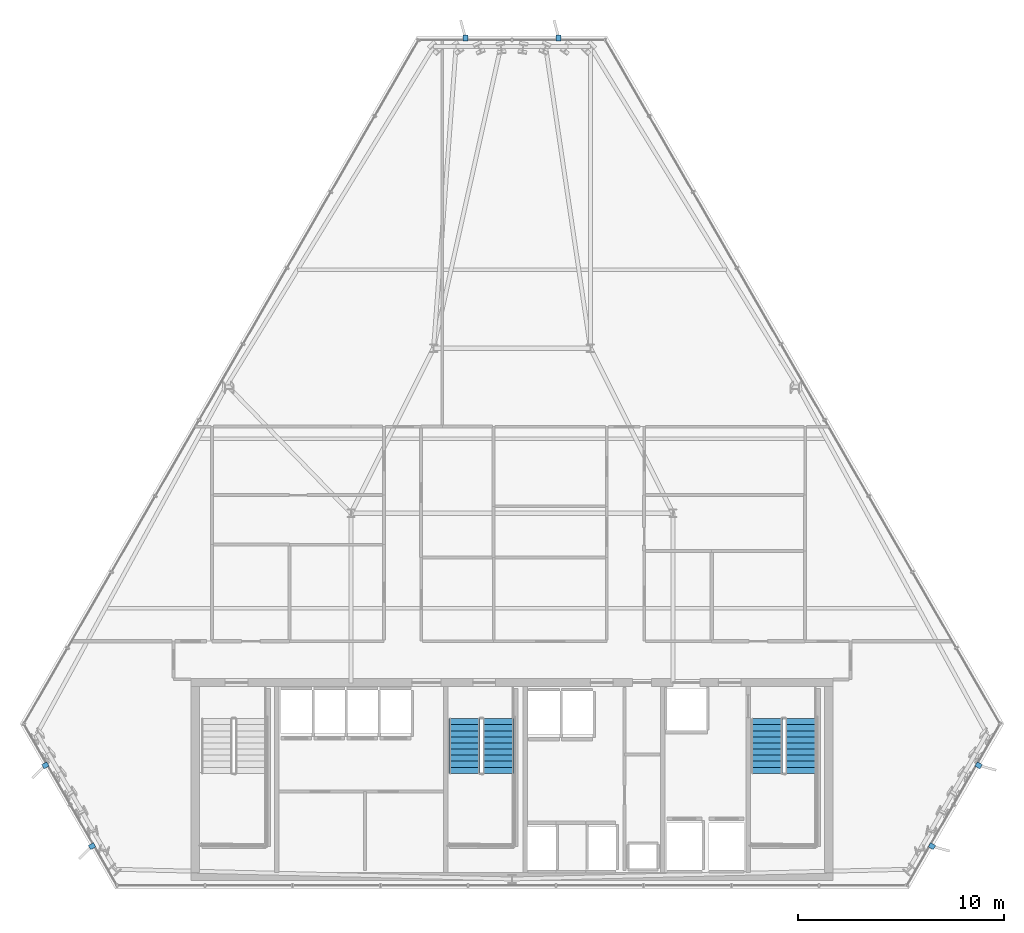
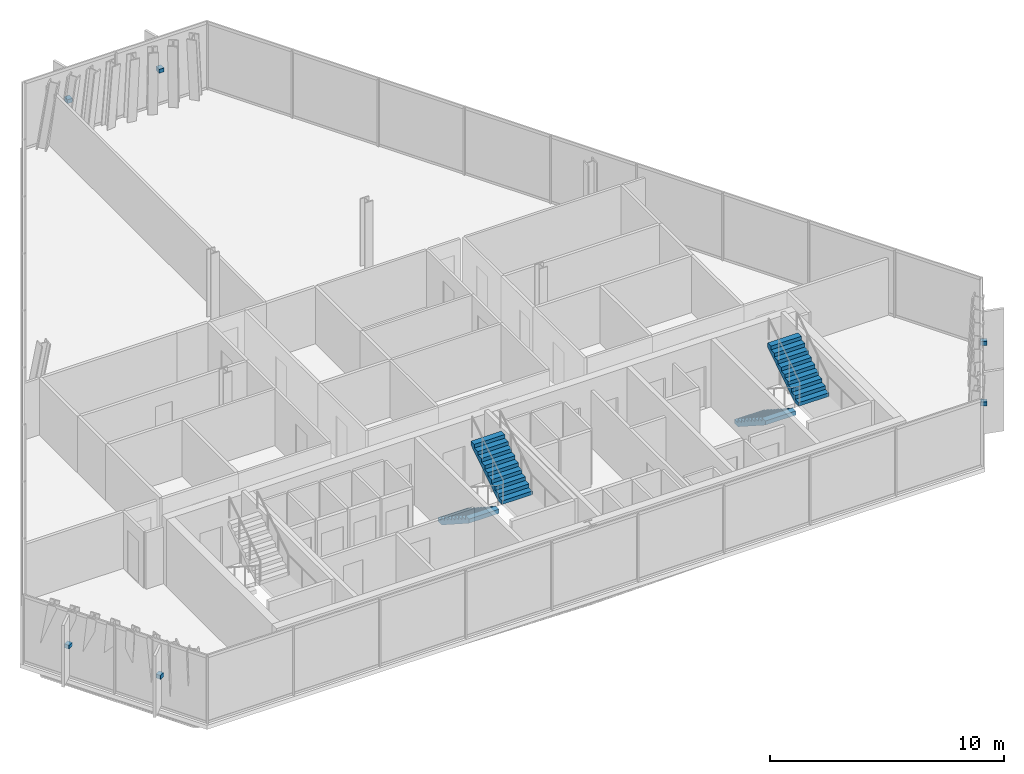
# One storey, part 30 of 34: 6 discrete accessories, 4 stair flights, 2 elements without a shape of their own.
"""IFC4 building model written with IfcOpenShell, lengths in metres."""

from ifc_helpers import new_model, si_unit, direction, frame, origin, origin_2d, place, context, subcontext, project, spatial, polyline, rectangle, outline, extrude, material, type_object, element, aggregate, save


model = new_model("IFC4")

# Units and contexts
model_context = context("Model", 3, precision=1e-05, world=origin(), true_north=direction((0.0, 1.0)))
body_context = subcontext(model_context, "Body", "Model", "MODEL_VIEW")
ifc_project = project(units=[si_unit("LENGTHUNIT", "METRE"), si_unit("AREAUNIT", "SQUARE_METRE"), si_unit("VOLUMEUNIT", "CUBIC_METRE"), si_unit("PLANEANGLEUNIT", "RADIAN"), si_unit("MASSUNIT", "GRAM", prefix="KILO")], contexts=[model_context])

# Site, building, storey
site_placement = place(None, origin())
site = spatial("IfcSite", under=ifc_project, at=site_placement, CompositionType="ELEMENT")
building_placement = place(site_placement, origin())
building = spatial("IfcBuilding", under=site, at=building_placement, Name="Ndaravel Arena Tower", CompositionType="ELEMENT")
storey_placement = place(building_placement, frame((0.0, 0.0, 199.199951171875)))
storey = spatial("IfcBuildingStorey", under=building, at=storey_placement, Name="L48", CompositionType="ELEMENT", Elevation=199.199951171875)

# Stair, stair flights
ifc_material_1 = material(Name="Concrete C40/50", Category="concrete")
stair_type = type_object("IfcStairType", Name="STAIR-CORE-HT", PredefinedType="HALF_TURN_STAIR", material=ifc_material_1)
stair_1_placement = place(storey_placement, origin())
stair_1 = element("IfcStair", 1, at=stair_1_placement, inside=storey, type_object=stair_type, Name="L48 ST-2", PredefinedType="HALF_TURN_STAIR")
ifc_material_2 = material(Name="Concrete C40/50", Category="concrete")
stair_flight_type = type_object("IfcStairFlightType", Name="SFLIGHT-CORE-1680", PredefinedType="STRAIGHT", material=ifc_material_2)
stair_flight_1_placement = place(storey_placement, frame((39.699951171875, 13.25, 0.0), z_axis=(0.0, 0.0, 1.0), x_axis=(0.0, -1.0, 0.0)))
stair_flight_1 = element("IfcStairFlight", 2, at=stair_flight_1_placement, type_object=stair_flight_type, Name="ST-2 flight 1", NumberOfRisers=10, NumberOfTreads=9, PredefinedType="STRAIGHT", RiserHeight=0.19, TreadLength=0.295, context=body_context, shape_type="SweptSolid", body=[
    extrude(outline(polyline([(0.0, 0.0), (0.0, 0.18994140625), (0.294921875, 0.18994140625), (0.294921875, 0.3798828125), (0.590087890625, 0.3798828125), (0.590087890625, 0.570068359375), (0.885009765625, 0.570068359375), (0.885009765625, 0.760009765625), (1.179931640625, 0.760009765625), (1.179931640625, 0.949951171875), (1.47509765625, 0.949951171875), (1.47509765625, 1.139892578125), (1.77001953125, 1.139892578125), (1.77001953125, 1.330078125), (2.06494140625, 1.330078125), (2.06494140625, 1.52001953125), (2.360107421875, 1.52001953125), (2.360107421875, 1.7099609375), (2.655029296875, 1.7099609375), (2.655029296875, 1.89990234375), (2.655029296875, 1.49609375), (0.332275390625, 0.0), (0.0, 0.0)])), frame((0.0, 0.75, 0.0), z_axis=(0.0, -1.0, 0.0), x_axis=(1.0, 0.0, 0.0)), (0.0, 0.0, 1.0), 1.5),
])
stair_flight_2_placement = place(storey_placement, frame((41.340087890625, 10.594970703125, 1.900146484375), z_axis=(0.0, 0.0, 1.0), x_axis=(0.0, 1.0, 0.0)))
stair_flight_2 = element("IfcStairFlight", 3, at=stair_flight_2_placement, type_object=stair_flight_type, Name="ST-2 flight 2", NumberOfRisers=10, NumberOfTreads=9, PredefinedType="STRAIGHT", RiserHeight=0.19, TreadLength=0.295, context=body_context, shape_type="SweptSolid", body=[
    extrude(outline(polyline([(0.0, 0.0), (0.0, 0.18994140625), (0.294921875, 0.18994140625), (0.294921875, 0.3798828125), (0.590087890625, 0.3798828125), (0.590087890625, 0.570068359375), (0.885009765625, 0.570068359375), (0.885009765625, 0.760009765625), (1.179931640625, 0.760009765625), (1.179931640625, 0.949951171875), (1.47509765625, 0.949951171875), (1.47509765625, 1.139892578125), (1.77001953125, 1.139892578125), (1.77001953125, 1.330078125), (2.06494140625, 1.330078125), (2.06494140625, 1.52001953125), (2.360107421875, 1.52001953125), (2.360107421875, 1.7099609375), (2.655029296875, 1.7099609375), (2.655029296875, 1.89990234375), (2.655029296875, 1.49609375), (0.332275390625, 0.0), (0.0, 0.0)])), frame((0.0, 0.75, 0.0), z_axis=(0.0, -1.0, 0.0), x_axis=(1.0, 0.0, 0.0)), (0.0, 0.0, 1.0), 1.5),
])
aggregate(stair_1, [stair_flight_1, stair_flight_2])

stair_2_placement = place(storey_placement, origin())
stair_2 = element("IfcStair", 4, at=stair_2_placement, inside=storey, type_object=stair_type, Name="L48 ST-3", PredefinedType="HALF_TURN_STAIR")
stair_flight_3_placement = place(storey_placement, frame((54.35009765625, 13.25, 0.0), z_axis=(0.0, 0.0, 1.0), x_axis=(0.0, -1.0, 0.0)))
stair_flight_3 = element("IfcStairFlight", 5, at=stair_flight_3_placement, type_object=stair_flight_type, Name="ST-3 flight 1", NumberOfRisers=10, NumberOfTreads=9, PredefinedType="STRAIGHT", RiserHeight=0.19, TreadLength=0.295, context=body_context, shape_type="SweptSolid", body=[
    extrude(outline(polyline([(0.0, 0.0), (0.0, 0.18994140625), (0.294921875, 0.18994140625), (0.294921875, 0.3798828125), (0.590087890625, 0.3798828125), (0.590087890625, 0.570068359375), (0.885009765625, 0.570068359375), (0.885009765625, 0.760009765625), (1.179931640625, 0.760009765625), (1.179931640625, 0.949951171875), (1.47509765625, 0.949951171875), (1.47509765625, 1.139892578125), (1.77001953125, 1.139892578125), (1.77001953125, 1.330078125), (2.06494140625, 1.330078125), (2.06494140625, 1.52001953125), (2.360107421875, 1.52001953125), (2.360107421875, 1.7099609375), (2.655029296875, 1.7099609375), (2.655029296875, 1.89990234375), (2.655029296875, 1.49609375), (0.332275390625, 0.0), (0.0, 0.0)])), frame((0.0, 0.75, 0.0), z_axis=(0.0, -1.0, 0.0), x_axis=(1.0, 0.0, 0.0)), (0.0, 0.0, 1.0), 1.5),
])
stair_flight_4_placement = place(storey_placement, frame((55.989990234375, 10.594970703125, 1.900146484375), z_axis=(0.0, 0.0, 1.0), x_axis=(0.0, 1.0, 0.0)))
stair_flight_4 = element("IfcStairFlight", 6, at=stair_flight_4_placement, type_object=stair_flight_type, Name="ST-3 flight 2", NumberOfRisers=10, NumberOfTreads=9, PredefinedType="STRAIGHT", RiserHeight=0.19, TreadLength=0.295, context=body_context, shape_type="SweptSolid", body=[
    extrude(outline(polyline([(0.0, 0.0), (0.0, 0.18994140625), (0.294921875, 0.18994140625), (0.294921875, 0.3798828125), (0.590087890625, 0.3798828125), (0.590087890625, 0.570068359375), (0.885009765625, 0.570068359375), (0.885009765625, 0.760009765625), (1.179931640625, 0.760009765625), (1.179931640625, 0.949951171875), (1.47509765625, 0.949951171875), (1.47509765625, 1.139892578125), (1.77001953125, 1.139892578125), (1.77001953125, 1.330078125), (2.06494140625, 1.330078125), (2.06494140625, 1.52001953125), (2.360107421875, 1.52001953125), (2.360107421875, 1.7099609375), (2.655029296875, 1.7099609375), (2.655029296875, 1.89990234375), (2.655029296875, 1.49609375), (0.332275390625, 0.0), (0.0, 0.0)])), frame((0.0, 0.75, 0.0), z_axis=(0.0, -1.0, 0.0), x_axis=(1.0, 0.0, 0.0)), (0.0, 0.0, 1.0), 1.5),
])
aggregate(stair_2, [stair_flight_3, stair_flight_4])

# Discrete accessories
ifc_material_3 = material(Name="Steel S355", Category="steel")
discrete_accessory_type = type_object("IfcDiscreteAccessoryType", Name="ACC-BRACKET-FIN", PredefinedType="BRACKET", material=ifc_material_3)
for number, where, z_axis, x_axis, name in (
    (7, (62.34619140625, 7.068603515625, 1.66015625), (0.0, 0.0, 1.0), (0.866025403784, -0.5, 0.0), "L48 Mazeras Stone Solar Fin E2.1 Bracket"),
    (8, (64.607666015625, 10.985595703125, 1.66015625), (0.0, 0.0, 1.0), (0.866025403784, -0.5, 0.0), "L48 Mazeras Stone Solar Fin E2.2 Bracket"),
    (9, (44.261474609375, 46.22607421875, 1.66015625), (0.0, 0.0, 1.0), (0.0, 1.0, 0.0), "L48 Mazeras Stone Solar Fin E4.1 Bracket"),
    (10, (39.738525390625, 46.22607421875, 1.66015625), (0.0, 0.0, 1.0), (0.0, 1.0, 0.0), "L48 Mazeras Stone Solar Fin E4.2 Bracket"),
    (11, (19.392333984375, 10.985595703125, 1.66015625), (0.0, 0.0, 1.0), (-0.866025403784, -0.5, 0.0), "L48 Mazeras Stone Solar Fin E6.1 Bracket"),
    (12, (21.65380859375, 7.068603515625, 1.66015625), (0.0, 0.0, 1.0), (-0.866025403784, -0.5, 0.0), "L48 Mazeras Stone Solar Fin E6.2 Bracket"),
):
    element("IfcDiscreteAccessory", number, at=place(storey_placement, frame(where, z_axis=z_axis, x_axis=x_axis)), inside=storey, type_object=discrete_accessory_type, Name=name, PredefinedType="BRACKET", context=body_context, shape_type="SweptSolid", body=[
        extrude(rectangle(XDim=0.280029296875, YDim=0.239990234375, at=origin_2d()), origin(), (0.0, 0.0, 1.0), 0.199951171875),
    ])

save(model, "model.ifc")
